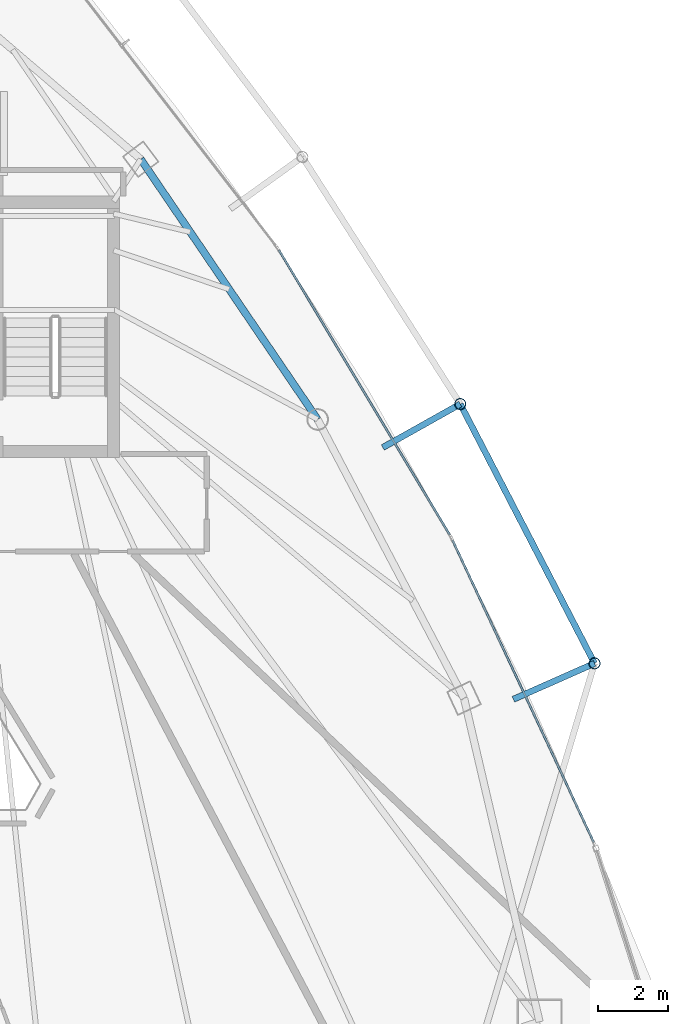
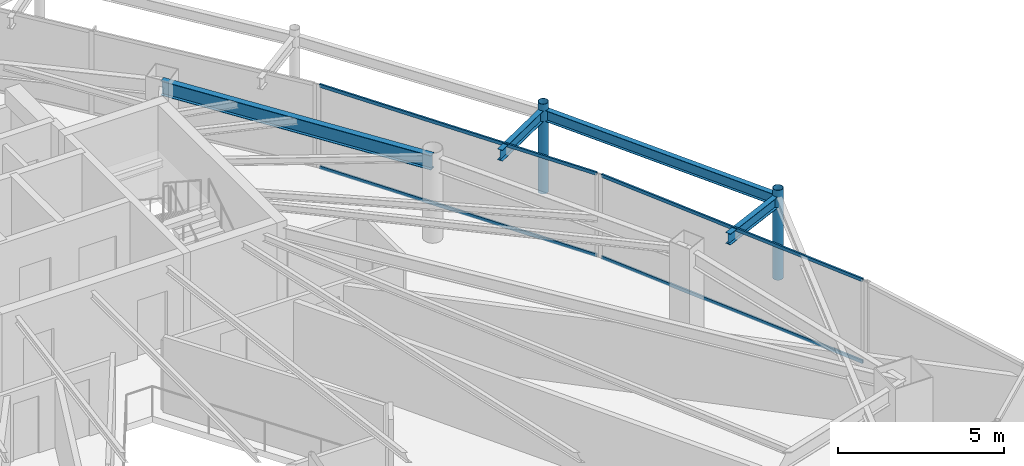
# One storey, part 18 of 29: 6 members, 4 beams, 2 elements without a shape of their own.
"""IFC4 building model written with IfcOpenShell, lengths in metres."""

from ifc_helpers import new_model, si_unit, direction, frame, origin, origin_2d, place, context, subcontext, project, spatial, hollow_rectangle, hollow_circle, i_section, extrude, material, layer, layer_set, material_profile, profile_set, type_object, element, aggregate, save


model = new_model("IFC4")

# Units and contexts
model_context = context("Model", 3, precision=1e-05, world=origin(), true_north=direction((0.0, 1.0)))
body_context = subcontext(model_context, "Body", "Model", "MODEL_VIEW")
ifc_project = project(units=[si_unit("LENGTHUNIT", "METRE"), si_unit("AREAUNIT", "SQUARE_METRE"), si_unit("VOLUMEUNIT", "CUBIC_METRE"), si_unit("PLANEANGLEUNIT", "RADIAN"), si_unit("MASSUNIT", "GRAM", prefix="KILO")], contexts=[model_context])

# Site, building, storey
site_placement = place(None, origin())
site = spatial("IfcSite", under=ifc_project, at=site_placement, CompositionType="ELEMENT")
building_placement = place(site_placement, origin())
building = spatial("IfcBuilding", under=site, at=building_placement, Name="Orvanel Arch Residences", CompositionType="ELEMENT")
storey_placement = place(building_placement, frame((0.0, 0.0, 243.64990234375)))
storey = spatial("IfcBuildingStorey", under=building, at=storey_placement, Name="L69", CompositionType="ELEMENT", Elevation=243.64990234375)

# Beams
ifc_material_1 = material(Name="Structural steel AS/NZS 3679.1 Grade 300 (300 MPa)", Category="steel")
ifc_material_profile_1 = material_profile(ifc_material_1, i_section(OverallWidth=0.177978515625, OverallDepth=0.406005859375, WebThickness=0.0078125, FlangeThickness=0.0126953125, at=origin_2d()), Name="410UB59.7")
ifc_profile_set_1 = profile_set([ifc_material_profile_1], Name="Structural steel AS/NZS 3679.1 Grade 300 (300 MPa)")
beam_type_1 = type_object("IfcBeamType", Name="OB-410UB-EXT", PredefinedType="SPANDREL", material=ifc_profile_set_1)
beam_1_placement = place(storey_placement, frame((51.049072265625, 19.60791015625, 2.857177734375), z_axis=(0.914383327553, 0.404849515614, 0.0), x_axis=(-0.404849515614, 0.914383327553, 0.0)))
element("IfcBeam", 1, at=beam_1_placement, inside=storey, type_object=beam_type_1, Name="L69 Outer Frame Radial Tie Beam 09", PredefinedType="SPANDREL", context=body_context, shape_type="SweptSolid", body=[
    extrude(i_section(OverallWidth=0.177978515625, OverallDepth=0.406005859375, WebThickness=0.0078125, FlangeThickness=0.0126953125, at=origin_2d()), origin(), (0.0, 0.0, 1.0), 2.549072265625),
])
beam_2_placement = place(storey_placement, frame((53.3798828125, 20.639892578125, 2.857177734375), z_axis=(-0.459762791998, 0.888041764273, 0.0), x_axis=(-0.888041764273, -0.459762791998, 0.0)))
element("IfcBeam", 2, at=beam_2_placement, inside=storey, type_object=beam_type_1, Name="L69 Outer Perimeter Floor Ring Beam 09", PredefinedType="SPANDREL", context=body_context, shape_type="SweptSolid", body=[
    extrude(i_section(OverallWidth=0.177978515625, OverallDepth=0.406005859375, WebThickness=0.0078125, FlangeThickness=0.0126953125, at=origin_2d()), origin(), (0.0, 0.0, 1.0), 8.382568359375),
])
beam_3_placement = place(storey_placement, frame((47.302001953125, 26.8369140625, 2.857177734375), z_axis=(0.872221755946, 0.489110630077, 0.0), x_axis=(-0.489110630077, 0.872221755946, 0.0)))
element("IfcBeam", 3, at=beam_3_placement, inside=storey, type_object=beam_type_1, Name="L69 Outer Frame Radial Tie Beam 10", PredefinedType="SPANDREL", context=body_context, shape_type="SweptSolid", body=[
    extrude(i_section(OverallWidth=0.177978515625, OverallDepth=0.406005859375, WebThickness=0.0078125, FlangeThickness=0.0126953125, at=origin_2d()), origin(), (0.0, 0.0, 1.0), 2.549560546875),
])
ifc_material_profile_2 = material_profile(ifc_material_1, i_section(OverallWidth=0.208984375, OverallDepth=0.532958984375, WebThickness=0.01025390625, FlangeThickness=0.015625, at=origin_2d()), Name="530UB92.4")
ifc_profile_set_2 = profile_set([ifc_material_profile_2], Name="Structural steel AS/NZS 3679.1 Grade 300 (300 MPa)")
beam_type_2 = type_object("IfcBeamType", Name="SP-530UB", PredefinedType="SPANDREL", material=ifc_profile_set_2)
beam_4_placement = place(storey_placement, frame((45.430908203125, 27.64111328125, 2.794189453125), z_axis=(-0.562154793153, 0.827032035978, 0.0), x_axis=(-0.827032035978, -0.562154793153, 0.0)))
element("IfcBeam", 4, at=beam_4_placement, inside=storey, type_object=beam_type_2, Name="L69 Perimeter Spandrel Beam 08", PredefinedType="SPANDREL", context=body_context, shape_type="SweptSolid", body=[
    extrude(i_section(OverallWidth=0.208984375, OverallDepth=0.532958984375, WebThickness=0.01025390625, FlangeThickness=0.015625, at=origin_2d()), origin(), (0.0, 0.0, 1.0), 9.03466796875),
])

# Members
ifc_material_2 = material(Name="Structural steel AS/NZS 1163 C350L0 (Grade 350)", Category="steel")
ifc_material_profile_3 = material_profile(ifc_material_2, hollow_circle(Radius=0.162109375, WallThickness=0.0126953125, at=origin_2d()), Name="CHS324x12.7")
ifc_profile_set_3 = profile_set([ifc_material_profile_3], Name="Structural steel AS/NZS 1163 C350L0 (Grade 350)")
member_type_1 = type_object("IfcMemberType", Name="ST-324CHS-EXT", PredefinedType="STRUT", material=ifc_profile_set_3)
for number, where, z_axis, x_axis, name in (
    (5, (53.3798828125, 20.639892578125, 0.0), (0.0, 0.0, 1.0), (1.0, 0.0, 0.0), "L69 Outer Perimeter Frame Post 09"),
    (6, (49.52587890625, 28.083984375, 0.0), (0.0, 0.0, 1.0), (1.0, 0.0, 0.0), "L69 Outer Perimeter Frame Post 10"),
):
    element("IfcMember", number, at=place(storey_placement, frame(where, z_axis=z_axis, x_axis=x_axis)), inside=storey, type_object=member_type_1, Name=name, PredefinedType="STRUT", context=body_context, shape_type="SweptSolid", body=[
        extrude(hollow_circle(Radius=0.162109375, WallThickness=0.0126953125, at=origin_2d()), origin(), (0.0, 0.0, 1.0), 3.300048828125),
    ])

# Curtain wall, members
ifc_material_3 = material(Name="Bronze-anodised aluminium AA6063-T6", Category="aluminium")
ifc_layer = layer(ifc_material_3, 0.175048828125)
ifc_layer_set = layer_set([ifc_layer], Name="Bronze-anodised aluminium AA6063-T6")
curtain_wall_type = type_object("IfcCurtainWallType", Name="CW4-HI-SYS", PredefinedType="NOTDEFINED", material=ifc_layer_set)
curtain_wall_1_placement = place(storey_placement, origin())
curtain_wall_1 = element("IfcCurtainWall", 7, at=curtain_wall_1_placement, inside=storey, type_object=curtain_wall_type, Name="L69 CW4-HI-SYS Unitised Curtain Wall", PredefinedType="NOTDEFINED")
ifc_material_profile_4 = material_profile(ifc_material_3, hollow_rectangle(XDim=0.06005859375, YDim=0.1201171875, WallThickness=0.00341796875, at=origin_2d()), Name="ALU120x60x3.5")
ifc_profile_set_4 = profile_set([ifc_material_profile_4], Name="Bronze-anodised aluminium AA6063-T6")
member_type_2 = type_object("IfcMemberType", Name="TRN-120x60", PredefinedType="USERDEFINED", material=ifc_profile_set_4)
member_1_placement = place(storey_placement, frame((53.3583984375, 15.5, 0.030029296875), z_axis=(-0.423455828106, 0.905916752049, 0.0), x_axis=(-0.905916752049, -0.423455828106, 0.0)))
member_1 = element("IfcMember", 8, at=member_1_placement, type_object=member_type_2, Name="CW-S4 transom 1.1", ObjectType="TRANSOM", PredefinedType="USERDEFINED", context=body_context, shape_type="SweptSolid", body=[
    extrude(hollow_rectangle(XDim=0.06005859375, YDim=0.1201171875, WallThickness=0.00341796875, at=origin_2d()), origin(), (0.0, 0.0, 1.0), 9.582763671875),
])
member_2_placement = place(storey_placement, frame((53.3583984375, 15.5, 3.030029296875), z_axis=(-0.423455828106, 0.905916752049, 0.0), x_axis=(-0.905916752049, -0.423455828106, 0.0)))
member_2 = element("IfcMember", 9, at=member_2_placement, type_object=member_type_2, Name="CW-S4 transom 1.2", ObjectType="TRANSOM", PredefinedType="USERDEFINED", context=body_context, shape_type="SweptSolid", body=[
    extrude(hollow_rectangle(XDim=0.06005859375, YDim=0.1201171875, WallThickness=0.00341796875, at=origin_2d()), origin(), (0.0, 0.0, 1.0), 9.582763671875),
])
aggregate(curtain_wall_1, [member_1, member_2])

curtain_wall_2_placement = place(storey_placement, origin())
curtain_wall_2 = element("IfcCurtainWall", 10, at=curtain_wall_2_placement, inside=storey, type_object=curtain_wall_type, Name="L69 CW4-HI-SYS Unitised Curtain Wall", PredefinedType="NOTDEFINED")
member_3_placement = place(storey_placement, frame((49.2216796875, 24.330810546875, 0.030029296875), z_axis=(-0.514488221049, 0.857497446295, 0.0), x_axis=(-0.857497446295, -0.514488221049, 0.0)))
member_3 = element("IfcMember", 11, at=member_3_placement, type_object=member_type_2, Name="CW-S4 transom 1.1", ObjectType="TRANSOM", PredefinedType="USERDEFINED", context=body_context, shape_type="SweptSolid", body=[
    extrude(hollow_rectangle(XDim=0.06005859375, YDim=0.1201171875, WallThickness=0.00341796875, at=origin_2d()), origin(), (0.0, 0.0, 1.0), 9.530517578125),
])
member_4_placement = place(storey_placement, frame((49.2216796875, 24.330810546875, 3.030029296875), z_axis=(-0.514488221049, 0.857497446295, 0.0), x_axis=(-0.857497446295, -0.514488221049, 0.0)))
member_4 = element("IfcMember", 12, at=member_4_placement, type_object=member_type_2, Name="CW-S4 transom 1.2", ObjectType="TRANSOM", PredefinedType="USERDEFINED", context=body_context, shape_type="SweptSolid", body=[
    extrude(hollow_rectangle(XDim=0.06005859375, YDim=0.1201171875, WallThickness=0.00341796875, at=origin_2d()), origin(), (0.0, 0.0, 1.0), 9.530517578125),
])
aggregate(curtain_wall_2, [member_3, member_4])

save(model, "model.ifc")
